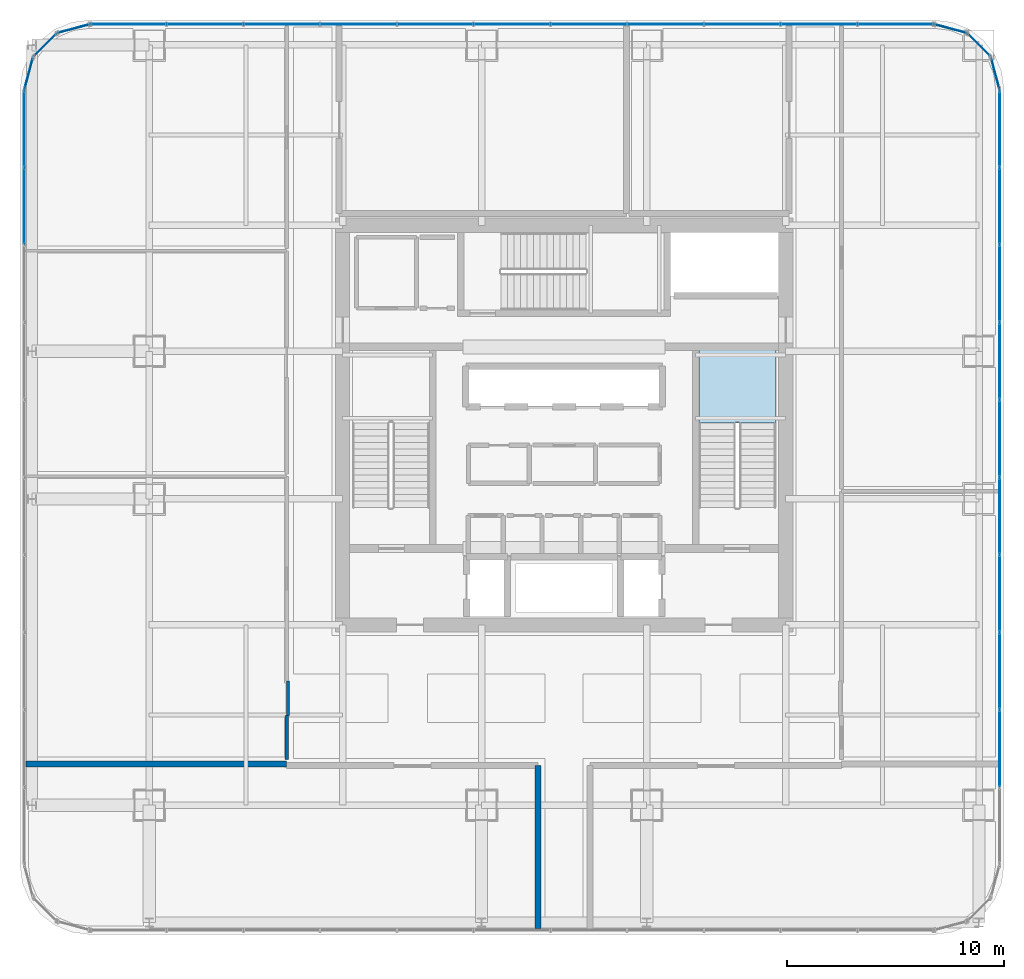
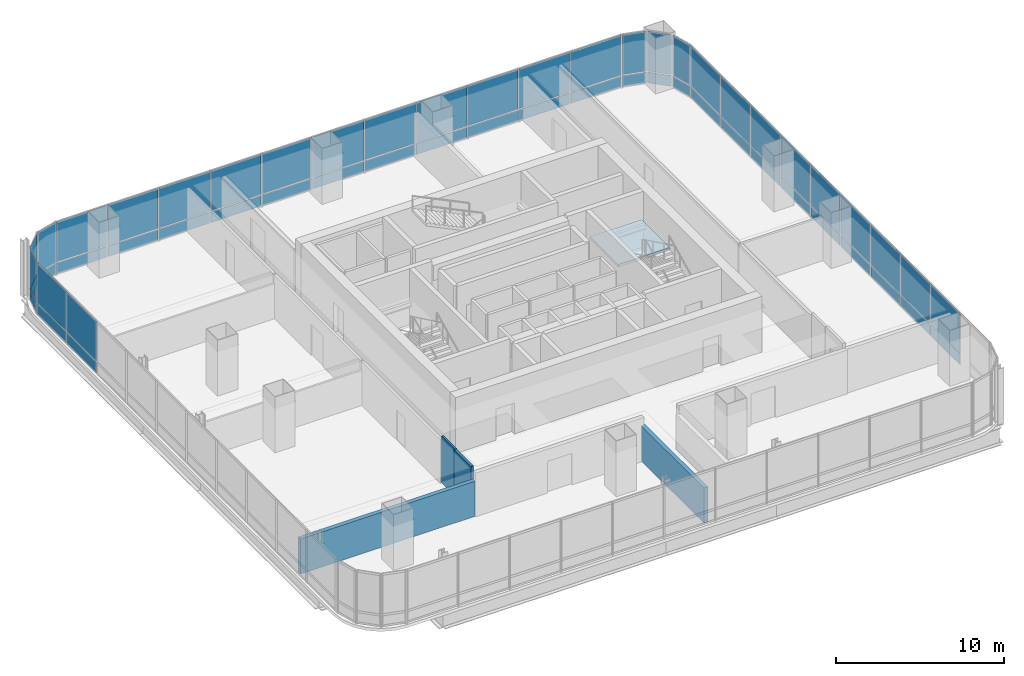
# One storey, part 28 of 36: 56 plates, 4 walls, 1 slab, 10 elements without a shape of their own.
"""IFC4 building model written with IfcOpenShell, lengths in metres."""

from ifc_helpers import new_model, si_unit, direction, frame, frame_2d, origin, origin_2d, place, context, subcontext, project, spatial, polyline, rectangle, outline, extrude, material, layer, layer_set, type_object, element, aggregate, save


model = new_model("IFC4")

# Units and contexts
model_context = context("Model", 3, precision=1e-05, world=origin(), true_north=direction((0.0, 1.0)))
body_context = subcontext(model_context, "Body", "Model", "MODEL_VIEW")
ifc_project = project(units=[si_unit("LENGTHUNIT", "METRE"), si_unit("AREAUNIT", "SQUARE_METRE"), si_unit("VOLUMEUNIT", "CUBIC_METRE"), si_unit("PLANEANGLEUNIT", "RADIAN"), si_unit("MASSUNIT", "GRAM", prefix="KILO")], contexts=[model_context])

# Site, building, storey
site_placement = place(None, origin())
site = spatial("IfcSite", under=ifc_project, at=site_placement, CompositionType="ELEMENT")
building_placement = place(site_placement, origin())
building = spatial("IfcBuilding", under=site, at=building_placement, Name="Punatoya Terracotta Tower", CompositionType="ELEMENT")
storey_placement = place(building_placement, frame((0.0, 0.0, 196.5)))
storey = spatial("IfcBuildingStorey", under=building, at=storey_placement, Name="L46", CompositionType="ELEMENT", Elevation=196.5)

# Curtain wall, plates
ifc_material_1 = material(Name="Aluminium 6063-T6 + Double Low-E Glass", Category="aluminium")
curtain_wall_type = type_object("IfcCurtainWallType", Name="CW-M2", PredefinedType="NOTDEFINED", material=ifc_material_1)
curtain_wall_1_placement = place(storey_placement, origin())
curtain_wall_1 = element("IfcCurtainWall", 1, at=curtain_wall_1_placement, inside=storey, type_object=curtain_wall_type, Name="L46 Curtain Wall CW-L46-E05-1", PredefinedType="NOTDEFINED")
ifc_material_2 = material(Name="Double Low-E Acoustic Vision Glass", Category="glass")
ifc_layer_1 = layer(ifc_material_2, 0.031982421875)
ifc_layer_set_1 = layer_set([ifc_layer_1], Name="Double Low-E Acoustic Vision Glass")
plate_type_1 = type_object("IfcPlateType", Name="PLT-GLZ-32", PredefinedType="CURTAIN_PANEL", material=ifc_layer_set_1)
plate_1_placement = place(storey_placement, frame((20.050048828125, -14.8857421875, 0.89013671875), z_axis=(0.0, 0.0, 1.0), x_axis=(0.0, 1.0, 0.0)))
plate_1 = element("IfcPlate", 2, at=plate_1_placement, type_object=plate_type_1, Name="CW-L46-E05-1 Vision Glass Panel 2", PredefinedType="CURTAIN_PANEL", context=body_context, shape_type="SweptSolid", body=[
    extrude(rectangle(XDim=3.482421875, YDim=0.031982421875, at=origin_2d()), origin(), (0.0, 0.0, 1.0), 2.89990234375),
])
plate_2_placement = place(storey_placement, frame((20.050048828125, -11.318359375, 0.89013671875), z_axis=(0.0, 0.0, 1.0), x_axis=(0.0, 1.0, 0.0)))
plate_2 = element("IfcPlate", 3, at=plate_2_placement, type_object=plate_type_1, Name="CW-L46-E05-1 Vision Glass Panel 3", PredefinedType="CURTAIN_PANEL", context=body_context, shape_type="SweptSolid", body=[
    extrude(rectangle(XDim=3.482421875, YDim=0.031982421875, at=origin_2d()), origin(), (0.0, 0.0, 1.0), 2.89990234375),
])
plate_3_placement = place(storey_placement, frame((20.050048828125, -7.751220703125, 0.89013671875), z_axis=(0.0, 0.0, 1.0), x_axis=(0.0, 1.0, 0.0)))
plate_3 = element("IfcPlate", 4, at=plate_3_placement, type_object=plate_type_1, Name="CW-L46-E05-1 Vision Glass Panel 4", PredefinedType="CURTAIN_PANEL", context=body_context, shape_type="SweptSolid", body=[
    extrude(rectangle(XDim=3.482421875, YDim=0.031982421875, at=origin_2d()), origin(), (0.0, 0.0, 1.0), 2.89990234375),
])
plate_4_placement = place(storey_placement, frame((20.050048828125, -4.18359375, 0.89013671875), z_axis=(0.0, 0.0, 1.0), x_axis=(0.0, 1.0, 0.0)))
plate_4 = element("IfcPlate", 5, at=plate_4_placement, type_object=plate_type_1, Name="CW-L46-E05-1 Vision Glass Panel 5", PredefinedType="CURTAIN_PANEL", context=body_context, shape_type="SweptSolid", body=[
    extrude(rectangle(XDim=3.482421875, YDim=0.031982421875, at=origin_2d()), origin(), (0.0, 0.0, 1.0), 2.89990234375),
])
plate_5_placement = place(storey_placement, frame((20.050048828125, -0.6162109375, 0.89013671875), z_axis=(0.0, 0.0, 1.0), x_axis=(0.0, 1.0, 0.0)))
plate_5 = element("IfcPlate", 6, at=plate_5_placement, type_object=plate_type_1, Name="CW-L46-E05-1 Vision Glass Panel 6", PredefinedType="CURTAIN_PANEL", context=body_context, shape_type="SweptSolid", body=[
    extrude(rectangle(XDim=3.482421875, YDim=0.031982421875, at=origin_2d()), origin(), (0.0, 0.0, 1.0), 2.89990234375),
])
plate_6_placement = place(storey_placement, frame((20.050048828125, 2.951171875, 0.89013671875), z_axis=(0.0, 0.0, 1.0), x_axis=(0.0, 1.0, 0.0)))
plate_6 = element("IfcPlate", 7, at=plate_6_placement, type_object=plate_type_1, Name="CW-L46-E05-1 Vision Glass Panel 7", PredefinedType="CURTAIN_PANEL", context=body_context, shape_type="SweptSolid", body=[
    extrude(rectangle(XDim=3.482421875, YDim=0.031982421875, at=origin_2d()), origin(), (0.0, 0.0, 1.0), 2.89990234375),
])
plate_7_placement = place(storey_placement, frame((20.050048828125, 6.518310546875, 0.89013671875), z_axis=(0.0, 0.0, 1.0), x_axis=(0.0, 1.0, 0.0)))
plate_7 = element("IfcPlate", 8, at=plate_7_placement, type_object=plate_type_1, Name="CW-L46-E05-1 Vision Glass Panel 8", PredefinedType="CURTAIN_PANEL", context=body_context, shape_type="SweptSolid", body=[
    extrude(rectangle(XDim=3.482421875, YDim=0.031982421875, at=origin_2d()), origin(), (0.0, 0.0, 1.0), 2.89990234375),
])
plate_8_placement = place(storey_placement, frame((20.050048828125, 10.085693359375, 0.89013671875), z_axis=(0.0, 0.0, 1.0), x_axis=(0.0, 1.0, 0.0)))
plate_8 = element("IfcPlate", 9, at=plate_8_placement, type_object=plate_type_1, Name="CW-L46-E05-1 Vision Glass Panel 9", PredefinedType="CURTAIN_PANEL", context=body_context, shape_type="SweptSolid", body=[
    extrude(rectangle(XDim=3.482421875, YDim=0.031982421875, at=origin_2d()), origin(), (0.0, 0.0, 1.0), 2.89990234375),
])
plate_9_placement = place(storey_placement, frame((20.050048828125, 13.6533203125, 0.89013671875), z_axis=(0.0, 0.0, 1.0), x_axis=(0.0, 1.0, 0.0)))
plate_9 = element("IfcPlate", 10, at=plate_9_placement, type_object=plate_type_1, Name="CW-L46-E05-1 Vision Glass Panel 10", PredefinedType="CURTAIN_PANEL", context=body_context, shape_type="SweptSolid", body=[
    extrude(rectangle(XDim=3.482421875, YDim=0.031982421875, at=origin_2d()), origin(), (0.0, 0.0, 1.0), 2.89990234375),
])

# Curtain wall, plate
curtain_wall_2_placement = place(storey_placement, origin())
curtain_wall_2 = element("IfcCurtainWall", 11, at=curtain_wall_2_placement, inside=storey, type_object=curtain_wall_type, Name="L46 Curtain Wall CW-L46-CRN06", PredefinedType="NOTDEFINED")
plate_10_placement = place(storey_placement, frame((19.848388671875, 16.193115234375, 0.89013671875), z_axis=(0.0, 0.0, 1.0), x_axis=(-0.257741620719, 0.966213877436, 0.0)))
plate_10 = element("IfcPlate", 12, at=plate_10_placement, type_object=plate_type_1, Name="CW-L46-CRN06 Vision Glass Panel 1", PredefinedType="CURTAIN_PANEL", context=body_context, shape_type="SweptSolid", body=[
    extrude(rectangle(XDim=1.47998046875, YDim=0.031982421875, at=origin_2d()), origin(), (0.0, 0.0, 1.0), 2.89990234375),
])

curtain_wall_3_placement = place(storey_placement, origin())
curtain_wall_3 = element("IfcCurtainWall", 13, at=curtain_wall_3_placement, inside=storey, type_object=curtain_wall_type, Name="L46 Curtain Wall CW-L46-CRN07", PredefinedType="NOTDEFINED")
plate_11_placement = place(storey_placement, frame((19.097900390625, 17.497802734375, 0.89013671875), z_axis=(0.0, 0.0, 1.0), x_axis=(-0.707106781187, 0.707106781187, 0.0)))
plate_11 = element("IfcPlate", 14, at=plate_11_placement, type_object=plate_type_1, Name="CW-L46-CRN07 Vision Glass Panel 1", PredefinedType="CURTAIN_PANEL", context=body_context, shape_type="SweptSolid", body=[
    extrude(rectangle(XDim=1.467041015625, YDim=0.031982421875, at=origin_2d()), origin(), (0.0, 0.0, 1.0), 2.89990234375),
])

curtain_wall_4_placement = place(storey_placement, origin())
curtain_wall_4 = element("IfcCurtainWall", 15, at=curtain_wall_4_placement, inside=storey, type_object=curtain_wall_type, Name="L46 Curtain Wall CW-L46-CRN08", PredefinedType="NOTDEFINED")
plate_12_placement = place(storey_placement, frame((17.79296875, 18.248291015625, 0.89013671875), z_axis=(0.0, 0.0, 1.0), x_axis=(-0.966213877436, 0.257741620719, 0.0)))
plate_12 = element("IfcPlate", 16, at=plate_12_placement, type_object=plate_type_1, Name="CW-L46-CRN08 Vision Glass Panel 1", PredefinedType="CURTAIN_PANEL", context=body_context, shape_type="SweptSolid", body=[
    extrude(rectangle(XDim=1.47998046875, YDim=0.031982421875, at=origin_2d()), origin(), (0.0, 0.0, 1.0), 2.89990234375),
])

# Curtain wall, plates
curtain_wall_5_placement = place(storey_placement, origin())
curtain_wall_5 = element("IfcCurtainWall", 17, at=curtain_wall_5_placement, inside=storey, type_object=curtain_wall_type, Name="L46 Curtain Wall CW-L46-N09-1", PredefinedType="NOTDEFINED")
plate_13_placement = place(storey_placement, frame((15.27001953125, 18.449951171875, 0.89013671875), z_axis=(0.0, 0.0, 1.0), x_axis=(-1.0, 0.0, 0.0)))
plate_13 = element("IfcPlate", 18, at=plate_13_placement, type_object=plate_type_1, Name="CW-L46-N09-1 Vision Glass Panel 1", PredefinedType="CURTAIN_PANEL", context=body_context, shape_type="SweptSolid", body=[
    extrude(rectangle(XDim=3.448974609375, YDim=0.031982421875, at=origin_2d()), origin(), (0.0, 0.0, 1.0), 2.89990234375),
])
plate_14_placement = place(storey_placement, frame((11.73583984375, 18.449951171875, 0.89013671875), z_axis=(0.0, 0.0, 1.0), x_axis=(-1.0, 0.0, 0.0)))
plate_14 = element("IfcPlate", 19, at=plate_14_placement, type_object=plate_type_1, Name="CW-L46-N09-1 Vision Glass Panel 2", PredefinedType="CURTAIN_PANEL", context=body_context, shape_type="SweptSolid", body=[
    extrude(rectangle(XDim=3.448974609375, YDim=0.031982421875, at=origin_2d()), origin(), (0.0, 0.0, 1.0), 2.89990234375),
])
plate_15_placement = place(storey_placement, frame((8.201904296875, 18.449951171875, 0.89013671875), z_axis=(0.0, 0.0, 1.0), x_axis=(-1.0, 0.0, 0.0)))
plate_15 = element("IfcPlate", 20, at=plate_15_placement, type_object=plate_type_1, Name="CW-L46-N09-1 Vision Glass Panel 3", PredefinedType="CURTAIN_PANEL", context=body_context, shape_type="SweptSolid", body=[
    extrude(rectangle(XDim=3.448974609375, YDim=0.031982421875, at=origin_2d()), origin(), (0.0, 0.0, 1.0), 2.89990234375),
])
plate_16_placement = place(storey_placement, frame((4.66796875, 18.449951171875, 0.89013671875), z_axis=(0.0, 0.0, 1.0), x_axis=(-1.0, 0.0, 0.0)))
plate_16 = element("IfcPlate", 21, at=plate_16_placement, type_object=plate_type_1, Name="CW-L46-N09-1 Vision Glass Panel 4", PredefinedType="CURTAIN_PANEL", context=body_context, shape_type="SweptSolid", body=[
    extrude(rectangle(XDim=3.448974609375, YDim=0.031982421875, at=origin_2d()), origin(), (0.0, 0.0, 1.0), 2.89990234375),
])
plate_17_placement = place(storey_placement, frame((1.134033203125, 18.449951171875, 0.89013671875), z_axis=(0.0, 0.0, 1.0), x_axis=(-1.0, 0.0, 0.0)))
plate_17 = element("IfcPlate", 22, at=plate_17_placement, type_object=plate_type_1, Name="CW-L46-N09-1 Vision Glass Panel 5", PredefinedType="CURTAIN_PANEL", context=body_context, shape_type="SweptSolid", body=[
    extrude(rectangle(XDim=3.448974609375, YDim=0.031982421875, at=origin_2d()), origin(), (0.0, 0.0, 1.0), 2.89990234375),
])
plate_18_placement = place(storey_placement, frame((-2.39990234375, 18.449951171875, 0.89013671875), z_axis=(0.0, 0.0, 1.0), x_axis=(-1.0, 0.0, 0.0)))
plate_18 = element("IfcPlate", 23, at=plate_18_placement, type_object=plate_type_1, Name="CW-L46-N09-1 Vision Glass Panel 6", PredefinedType="CURTAIN_PANEL", context=body_context, shape_type="SweptSolid", body=[
    extrude(rectangle(XDim=3.448974609375, YDim=0.031982421875, at=origin_2d()), origin(), (0.0, 0.0, 1.0), 2.89990234375),
])
plate_19_placement = place(storey_placement, frame((-5.93408203125, 18.449951171875, 0.89013671875), z_axis=(0.0, 0.0, 1.0), x_axis=(-1.0, 0.0, 0.0)))
plate_19 = element("IfcPlate", 24, at=plate_19_placement, type_object=plate_type_1, Name="CW-L46-N09-1 Vision Glass Panel 7", PredefinedType="CURTAIN_PANEL", context=body_context, shape_type="SweptSolid", body=[
    extrude(rectangle(XDim=3.448974609375, YDim=0.031982421875, at=origin_2d()), origin(), (0.0, 0.0, 1.0), 2.89990234375),
])
plate_20_placement = place(storey_placement, frame((-9.468017578125, 18.449951171875, 0.89013671875), z_axis=(0.0, 0.0, 1.0), x_axis=(-1.0, 0.0, 0.0)))
plate_20 = element("IfcPlate", 25, at=plate_20_placement, type_object=plate_type_1, Name="CW-L46-N09-1 Vision Glass Panel 8", PredefinedType="CURTAIN_PANEL", context=body_context, shape_type="SweptSolid", body=[
    extrude(rectangle(XDim=3.448974609375, YDim=0.031982421875, at=origin_2d()), origin(), (0.0, 0.0, 1.0), 2.89990234375),
])
plate_21_placement = place(storey_placement, frame((-13.001953125, 18.449951171875, 0.89013671875), z_axis=(0.0, 0.0, 1.0), x_axis=(-1.0, 0.0, 0.0)))
plate_21 = element("IfcPlate", 26, at=plate_21_placement, type_object=plate_type_1, Name="CW-L46-N09-1 Vision Glass Panel 9", PredefinedType="CURTAIN_PANEL", context=body_context, shape_type="SweptSolid", body=[
    extrude(rectangle(XDim=3.448974609375, YDim=0.031982421875, at=origin_2d()), origin(), (0.0, 0.0, 1.0), 2.89990234375),
])
plate_22_placement = place(storey_placement, frame((-16.535888671875, 18.449951171875, 0.89013671875), z_axis=(0.0, 0.0, 1.0), x_axis=(-1.0, 0.0, 0.0)))
plate_22 = element("IfcPlate", 27, at=plate_22_placement, type_object=plate_type_1, Name="CW-L46-N09-1 Vision Glass Panel 10", PredefinedType="CURTAIN_PANEL", context=body_context, shape_type="SweptSolid", body=[
    extrude(rectangle(XDim=3.448974609375, YDim=0.031982421875, at=origin_2d()), origin(), (0.0, 0.0, 1.0), 2.89990234375),
])
plate_23_placement = place(storey_placement, frame((-20.06982421875, 18.449951171875, 0.89013671875), z_axis=(0.0, 0.0, 1.0), x_axis=(-1.0, 0.0, 0.0)))
plate_23 = element("IfcPlate", 28, at=plate_23_placement, type_object=plate_type_1, Name="CW-L46-N09-1 Vision Glass Panel 11", PredefinedType="CURTAIN_PANEL", context=body_context, shape_type="SweptSolid", body=[
    extrude(rectangle(XDim=3.448974609375, YDim=0.031982421875, at=origin_2d()), origin(), (0.0, 0.0, 1.0), 2.89990234375),
])

# Curtain wall, plate
curtain_wall_6_placement = place(storey_placement, origin())
curtain_wall_6 = element("IfcCurtainWall", 29, at=curtain_wall_6_placement, inside=storey, type_object=curtain_wall_type, Name="L46 Curtain Wall CW-L46-CRN10", PredefinedType="NOTDEFINED")
plate_24_placement = place(storey_placement, frame((-22.593017578125, 18.248291015625, 0.89013671875), z_axis=(0.0, 0.0, 1.0), x_axis=(-0.966213877436, -0.257741620719, 0.0)))
plate_24 = element("IfcPlate", 30, at=plate_24_placement, type_object=plate_type_1, Name="CW-L46-CRN10 Vision Glass Panel 1", PredefinedType="CURTAIN_PANEL", context=body_context, shape_type="SweptSolid", body=[
    extrude(rectangle(XDim=1.47998046875, YDim=0.031982421875, at=origin_2d()), origin(), (0.0, 0.0, 1.0), 2.89990234375),
])

curtain_wall_7_placement = place(storey_placement, origin())
curtain_wall_7 = element("IfcCurtainWall", 31, at=curtain_wall_7_placement, inside=storey, type_object=curtain_wall_type, Name="L46 Curtain Wall CW-L46-CRN11", PredefinedType="NOTDEFINED")
plate_25_placement = place(storey_placement, frame((-23.89794921875, 17.497802734375, 0.89013671875), z_axis=(0.0, 0.0, 1.0), x_axis=(-0.707106781187, -0.707106781187, 0.0)))
plate_25 = element("IfcPlate", 32, at=plate_25_placement, type_object=plate_type_1, Name="CW-L46-CRN11 Vision Glass Panel 1", PredefinedType="CURTAIN_PANEL", context=body_context, shape_type="SweptSolid", body=[
    extrude(rectangle(XDim=1.467041015625, YDim=0.031982421875, at=origin_2d()), origin(), (0.0, 0.0, 1.0), 2.89990234375),
])

curtain_wall_8_placement = place(storey_placement, origin())
curtain_wall_8 = element("IfcCurtainWall", 33, at=curtain_wall_8_placement, inside=storey, type_object=curtain_wall_type, Name="L46 Curtain Wall CW-L46-CRN12", PredefinedType="NOTDEFINED")
plate_26_placement = place(storey_placement, frame((-24.648193359375, 16.193115234375, 0.89013671875), z_axis=(0.0, 0.0, 1.0), x_axis=(-0.257741620719, -0.966213877436, 0.0)))
plate_26 = element("IfcPlate", 34, at=plate_26_placement, type_object=plate_type_1, Name="CW-L46-CRN12 Vision Glass Panel 1", PredefinedType="CURTAIN_PANEL", context=body_context, shape_type="SweptSolid", body=[
    extrude(rectangle(XDim=1.47998046875, YDim=0.031982421875, at=origin_2d()), origin(), (0.0, 0.0, 1.0), 2.89990234375),
])

# Curtain wall, plates
curtain_wall_9_placement = place(storey_placement, origin())
curtain_wall_9 = element("IfcCurtainWall", 35, at=curtain_wall_9_placement, inside=storey, type_object=curtain_wall_type, Name="L46 Curtain Wall CW-L46-W13-1", PredefinedType="NOTDEFINED")
plate_27_placement = place(storey_placement, frame((-24.85009765625, 13.6533203125, 0.89013671875), z_axis=(0.0, 0.0, 1.0), x_axis=(0.0, -1.0, 0.0)))
plate_27 = element("IfcPlate", 36, at=plate_27_placement, type_object=plate_type_1, Name="CW-L46-W13-1 Vision Glass Panel 1", PredefinedType="CURTAIN_PANEL", context=body_context, shape_type="SweptSolid", body=[
    extrude(rectangle(XDim=3.482421875, YDim=0.031982421875, at=origin_2d()), origin(), (0.0, 0.0, 1.0), 2.89990234375),
])
plate_28_placement = place(storey_placement, frame((-24.85009765625, 10.085693359375, 0.89013671875), z_axis=(0.0, 0.0, 1.0), x_axis=(0.0, -1.0, 0.0)))
plate_28 = element("IfcPlate", 37, at=plate_28_placement, type_object=plate_type_1, Name="CW-L46-W13-1 Vision Glass Panel 2", PredefinedType="CURTAIN_PANEL", context=body_context, shape_type="SweptSolid", body=[
    extrude(rectangle(XDim=3.482421875, YDim=0.031982421875, at=origin_2d()), origin(), (0.0, 0.0, 1.0), 2.89990234375),
])

# Plate
ifc_material_3 = material(Name="Insulated Terracotta-Backed Spandrel Panel", Category="masonry")
ifc_layer_2 = layer(ifc_material_3, 0.044921875)
ifc_layer_set_2 = layer_set([ifc_layer_2], Name="Insulated Terracotta-Backed Spandrel Panel")
plate_type_2 = type_object("IfcPlateType", Name="PLT-SPN-45", PredefinedType="CURTAIN_PANEL", material=ifc_layer_set_2)
plate_29_placement = place(storey_placement, frame((20.050048828125, -14.8857421875, 0.0400390625), z_axis=(0.0, 0.0, 1.0), x_axis=(0.0, 1.0, 0.0)))
plate_29 = element("IfcPlate", 38, at=plate_29_placement, type_object=plate_type_2, Name="CW-L46-E05-1 Terracotta Spandrel Panel 2", PredefinedType="CURTAIN_PANEL", context=body_context, shape_type="SweptSolid", body=[
    extrude(rectangle(XDim=3.482421875, YDim=0.044921875, at=origin_2d()), origin(), (0.0, 0.0, 1.0), 0.77490234375),
])

plate_30_placement = place(storey_placement, frame((20.050048828125, -11.318359375, 0.0400390625), z_axis=(0.0, 0.0, 1.0), x_axis=(0.0, 1.0, 0.0)))
plate_30 = element("IfcPlate", 39, at=plate_30_placement, type_object=plate_type_2, Name="CW-L46-E05-1 Terracotta Spandrel Panel 3", PredefinedType="CURTAIN_PANEL", context=body_context, shape_type="SweptSolid", body=[
    extrude(rectangle(XDim=3.482421875, YDim=0.044921875, at=origin_2d()), origin(), (0.0, 0.0, 1.0), 0.77490234375),
])

plate_31_placement = place(storey_placement, frame((20.050048828125, -7.751220703125, 0.0400390625), z_axis=(0.0, 0.0, 1.0), x_axis=(0.0, 1.0, 0.0)))
plate_31 = element("IfcPlate", 40, at=plate_31_placement, type_object=plate_type_2, Name="CW-L46-E05-1 Terracotta Spandrel Panel 4", PredefinedType="CURTAIN_PANEL", context=body_context, shape_type="SweptSolid", body=[
    extrude(rectangle(XDim=3.482421875, YDim=0.044921875, at=origin_2d()), origin(), (0.0, 0.0, 1.0), 0.77490234375),
])

plate_32_placement = place(storey_placement, frame((20.050048828125, -4.18359375, 0.0400390625), z_axis=(0.0, 0.0, 1.0), x_axis=(0.0, 1.0, 0.0)))
plate_32 = element("IfcPlate", 41, at=plate_32_placement, type_object=plate_type_2, Name="CW-L46-E05-1 Terracotta Spandrel Panel 5", PredefinedType="CURTAIN_PANEL", context=body_context, shape_type="SweptSolid", body=[
    extrude(rectangle(XDim=3.482421875, YDim=0.044921875, at=origin_2d()), origin(), (0.0, 0.0, 1.0), 0.77490234375),
])

plate_33_placement = place(storey_placement, frame((20.050048828125, -0.6162109375, 0.0400390625), z_axis=(0.0, 0.0, 1.0), x_axis=(0.0, 1.0, 0.0)))
plate_33 = element("IfcPlate", 42, at=plate_33_placement, type_object=plate_type_2, Name="CW-L46-E05-1 Terracotta Spandrel Panel 6", PredefinedType="CURTAIN_PANEL", context=body_context, shape_type="SweptSolid", body=[
    extrude(rectangle(XDim=3.482421875, YDim=0.044921875, at=origin_2d()), origin(), (0.0, 0.0, 1.0), 0.77490234375),
])

plate_34_placement = place(storey_placement, frame((20.050048828125, 2.951171875, 0.0400390625), z_axis=(0.0, 0.0, 1.0), x_axis=(0.0, 1.0, 0.0)))
plate_34 = element("IfcPlate", 43, at=plate_34_placement, type_object=plate_type_2, Name="CW-L46-E05-1 Terracotta Spandrel Panel 7", PredefinedType="CURTAIN_PANEL", context=body_context, shape_type="SweptSolid", body=[
    extrude(rectangle(XDim=3.482421875, YDim=0.044921875, at=origin_2d()), origin(), (0.0, 0.0, 1.0), 0.77490234375),
])

plate_35_placement = place(storey_placement, frame((20.050048828125, 6.518310546875, 0.0400390625), z_axis=(0.0, 0.0, 1.0), x_axis=(0.0, 1.0, 0.0)))
plate_35 = element("IfcPlate", 44, at=plate_35_placement, type_object=plate_type_2, Name="CW-L46-E05-1 Terracotta Spandrel Panel 8", PredefinedType="CURTAIN_PANEL", context=body_context, shape_type="SweptSolid", body=[
    extrude(rectangle(XDim=3.482421875, YDim=0.044921875, at=origin_2d()), origin(), (0.0, 0.0, 1.0), 0.77490234375),
])

plate_36_placement = place(storey_placement, frame((20.050048828125, 10.085693359375, 0.0400390625), z_axis=(0.0, 0.0, 1.0), x_axis=(0.0, 1.0, 0.0)))
plate_36 = element("IfcPlate", 45, at=plate_36_placement, type_object=plate_type_2, Name="CW-L46-E05-1 Terracotta Spandrel Panel 9", PredefinedType="CURTAIN_PANEL", context=body_context, shape_type="SweptSolid", body=[
    extrude(rectangle(XDim=3.482421875, YDim=0.044921875, at=origin_2d()), origin(), (0.0, 0.0, 1.0), 0.77490234375),
])

plate_37_placement = place(storey_placement, frame((20.050048828125, 13.6533203125, 0.0400390625), z_axis=(0.0, 0.0, 1.0), x_axis=(0.0, 1.0, 0.0)))
plate_37 = element("IfcPlate", 46, at=plate_37_placement, type_object=plate_type_2, Name="CW-L46-E05-1 Terracotta Spandrel Panel 10", PredefinedType="CURTAIN_PANEL", context=body_context, shape_type="SweptSolid", body=[
    extrude(rectangle(XDim=3.482421875, YDim=0.044921875, at=origin_2d()), origin(), (0.0, 0.0, 1.0), 0.77490234375),
])

aggregate(curtain_wall_1, [plate_29, plate_1, plate_30, plate_2, plate_31, plate_3, plate_32, plate_4, plate_33, plate_5, plate_34, plate_6, plate_35, plate_7, plate_36, plate_8, plate_37, plate_9])

plate_38_placement = place(storey_placement, frame((19.848388671875, 16.193115234375, 0.0400390625), z_axis=(0.0, 0.0, 1.0), x_axis=(-0.257741620719, 0.966213877436, 0.0)))
plate_38 = element("IfcPlate", 47, at=plate_38_placement, type_object=plate_type_2, Name="CW-L46-CRN06 Terracotta Spandrel Panel 1", PredefinedType="CURTAIN_PANEL", context=body_context, shape_type="SweptSolid", body=[
    extrude(rectangle(XDim=1.47998046875, YDim=0.044921875, at=origin_2d()), origin(), (0.0, 0.0, 1.0), 0.77490234375),
])

aggregate(curtain_wall_2, [plate_38, plate_10])

plate_39_placement = place(storey_placement, frame((19.097900390625, 17.497802734375, 0.0400390625), z_axis=(0.0, 0.0, 1.0), x_axis=(-0.707106781187, 0.707106781187, 0.0)))
plate_39 = element("IfcPlate", 48, at=plate_39_placement, type_object=plate_type_2, Name="CW-L46-CRN07 Terracotta Spandrel Panel 1", PredefinedType="CURTAIN_PANEL", context=body_context, shape_type="SweptSolid", body=[
    extrude(rectangle(XDim=1.467041015625, YDim=0.044921875, at=origin_2d()), origin(), (0.0, 0.0, 1.0), 0.77490234375),
])

aggregate(curtain_wall_3, [plate_39, plate_11])

plate_40_placement = place(storey_placement, frame((17.79296875, 18.248291015625, 0.0400390625), z_axis=(0.0, 0.0, 1.0), x_axis=(-0.966213877436, 0.257741620719, 0.0)))
plate_40 = element("IfcPlate", 49, at=plate_40_placement, type_object=plate_type_2, Name="CW-L46-CRN08 Terracotta Spandrel Panel 1", PredefinedType="CURTAIN_PANEL", context=body_context, shape_type="SweptSolid", body=[
    extrude(rectangle(XDim=1.47998046875, YDim=0.044921875, at=origin_2d()), origin(), (0.0, 0.0, 1.0), 0.77490234375),
])

aggregate(curtain_wall_4, [plate_40, plate_12])

plate_41_placement = place(storey_placement, frame((15.27001953125, 18.449951171875, 0.0400390625), z_axis=(0.0, 0.0, 1.0), x_axis=(-1.0, 0.0, 0.0)))
plate_41 = element("IfcPlate", 50, at=plate_41_placement, type_object=plate_type_2, Name="CW-L46-N09-1 Terracotta Spandrel Panel 1", PredefinedType="CURTAIN_PANEL", context=body_context, shape_type="SweptSolid", body=[
    extrude(rectangle(XDim=3.448974609375, YDim=0.044921875, at=origin_2d()), origin(), (0.0, 0.0, 1.0), 0.77490234375),
])

plate_42_placement = place(storey_placement, frame((11.73583984375, 18.449951171875, 0.0400390625), z_axis=(0.0, 0.0, 1.0), x_axis=(-1.0, 0.0, 0.0)))
plate_42 = element("IfcPlate", 51, at=plate_42_placement, type_object=plate_type_2, Name="CW-L46-N09-1 Terracotta Spandrel Panel 2", PredefinedType="CURTAIN_PANEL", context=body_context, shape_type="SweptSolid", body=[
    extrude(rectangle(XDim=3.448974609375, YDim=0.044921875, at=origin_2d()), origin(), (0.0, 0.0, 1.0), 0.77490234375),
])

plate_43_placement = place(storey_placement, frame((8.201904296875, 18.449951171875, 0.0400390625), z_axis=(0.0, 0.0, 1.0), x_axis=(-1.0, 0.0, 0.0)))
plate_43 = element("IfcPlate", 52, at=plate_43_placement, type_object=plate_type_2, Name="CW-L46-N09-1 Terracotta Spandrel Panel 3", PredefinedType="CURTAIN_PANEL", context=body_context, shape_type="SweptSolid", body=[
    extrude(rectangle(XDim=3.448974609375, YDim=0.044921875, at=origin_2d()), origin(), (0.0, 0.0, 1.0), 0.77490234375),
])

plate_44_placement = place(storey_placement, frame((4.66796875, 18.449951171875, 0.0400390625), z_axis=(0.0, 0.0, 1.0), x_axis=(-1.0, 0.0, 0.0)))
plate_44 = element("IfcPlate", 53, at=plate_44_placement, type_object=plate_type_2, Name="CW-L46-N09-1 Terracotta Spandrel Panel 4", PredefinedType="CURTAIN_PANEL", context=body_context, shape_type="SweptSolid", body=[
    extrude(rectangle(XDim=3.448974609375, YDim=0.044921875, at=origin_2d()), origin(), (0.0, 0.0, 1.0), 0.77490234375),
])

plate_45_placement = place(storey_placement, frame((1.134033203125, 18.449951171875, 0.0400390625), z_axis=(0.0, 0.0, 1.0), x_axis=(-1.0, 0.0, 0.0)))
plate_45 = element("IfcPlate", 54, at=plate_45_placement, type_object=plate_type_2, Name="CW-L46-N09-1 Terracotta Spandrel Panel 5", PredefinedType="CURTAIN_PANEL", context=body_context, shape_type="SweptSolid", body=[
    extrude(rectangle(XDim=3.448974609375, YDim=0.044921875, at=origin_2d()), origin(), (0.0, 0.0, 1.0), 0.77490234375),
])

plate_46_placement = place(storey_placement, frame((-2.39990234375, 18.449951171875, 0.0400390625), z_axis=(0.0, 0.0, 1.0), x_axis=(-1.0, 0.0, 0.0)))
plate_46 = element("IfcPlate", 55, at=plate_46_placement, type_object=plate_type_2, Name="CW-L46-N09-1 Terracotta Spandrel Panel 6", PredefinedType="CURTAIN_PANEL", context=body_context, shape_type="SweptSolid", body=[
    extrude(rectangle(XDim=3.448974609375, YDim=0.044921875, at=origin_2d()), origin(), (0.0, 0.0, 1.0), 0.77490234375),
])

plate_47_placement = place(storey_placement, frame((-5.93408203125, 18.449951171875, 0.0400390625), z_axis=(0.0, 0.0, 1.0), x_axis=(-1.0, 0.0, 0.0)))
plate_47 = element("IfcPlate", 56, at=plate_47_placement, type_object=plate_type_2, Name="CW-L46-N09-1 Terracotta Spandrel Panel 7", PredefinedType="CURTAIN_PANEL", context=body_context, shape_type="SweptSolid", body=[
    extrude(rectangle(XDim=3.448974609375, YDim=0.044921875, at=origin_2d()), origin(), (0.0, 0.0, 1.0), 0.77490234375),
])

plate_48_placement = place(storey_placement, frame((-9.468017578125, 18.449951171875, 0.0400390625), z_axis=(0.0, 0.0, 1.0), x_axis=(-1.0, 0.0, 0.0)))
plate_48 = element("IfcPlate", 57, at=plate_48_placement, type_object=plate_type_2, Name="CW-L46-N09-1 Terracotta Spandrel Panel 8", PredefinedType="CURTAIN_PANEL", context=body_context, shape_type="SweptSolid", body=[
    extrude(rectangle(XDim=3.448974609375, YDim=0.044921875, at=origin_2d()), origin(), (0.0, 0.0, 1.0), 0.77490234375),
])

plate_49_placement = place(storey_placement, frame((-13.001953125, 18.449951171875, 0.0400390625), z_axis=(0.0, 0.0, 1.0), x_axis=(-1.0, 0.0, 0.0)))
plate_49 = element("IfcPlate", 58, at=plate_49_placement, type_object=plate_type_2, Name="CW-L46-N09-1 Terracotta Spandrel Panel 9", PredefinedType="CURTAIN_PANEL", context=body_context, shape_type="SweptSolid", body=[
    extrude(rectangle(XDim=3.448974609375, YDim=0.044921875, at=origin_2d()), origin(), (0.0, 0.0, 1.0), 0.77490234375),
])

plate_50_placement = place(storey_placement, frame((-16.535888671875, 18.449951171875, 0.0400390625), z_axis=(0.0, 0.0, 1.0), x_axis=(-1.0, 0.0, 0.0)))
plate_50 = element("IfcPlate", 59, at=plate_50_placement, type_object=plate_type_2, Name="CW-L46-N09-1 Terracotta Spandrel Panel 10", PredefinedType="CURTAIN_PANEL", context=body_context, shape_type="SweptSolid", body=[
    extrude(rectangle(XDim=3.448974609375, YDim=0.044921875, at=origin_2d()), origin(), (0.0, 0.0, 1.0), 0.77490234375),
])

plate_51_placement = place(storey_placement, frame((-20.06982421875, 18.449951171875, 0.0400390625), z_axis=(0.0, 0.0, 1.0), x_axis=(-1.0, 0.0, 0.0)))
plate_51 = element("IfcPlate", 60, at=plate_51_placement, type_object=plate_type_2, Name="CW-L46-N09-1 Terracotta Spandrel Panel 11", PredefinedType="CURTAIN_PANEL", context=body_context, shape_type="SweptSolid", body=[
    extrude(rectangle(XDim=3.448974609375, YDim=0.044921875, at=origin_2d()), origin(), (0.0, 0.0, 1.0), 0.77490234375),
])

aggregate(curtain_wall_5, [plate_41, plate_13, plate_42, plate_14, plate_43, plate_15, plate_44, plate_16, plate_45, plate_17, plate_46, plate_18, plate_47, plate_19, plate_48, plate_20, plate_49, plate_21, plate_50, plate_22, plate_51, plate_23])

plate_52_placement = place(storey_placement, frame((-22.593017578125, 18.248291015625, 0.0400390625), z_axis=(0.0, 0.0, 1.0), x_axis=(-0.966213877436, -0.257741620719, 0.0)))
plate_52 = element("IfcPlate", 61, at=plate_52_placement, type_object=plate_type_2, Name="CW-L46-CRN10 Terracotta Spandrel Panel 1", PredefinedType="CURTAIN_PANEL", context=body_context, shape_type="SweptSolid", body=[
    extrude(rectangle(XDim=1.47998046875, YDim=0.044921875, at=origin_2d()), origin(), (0.0, 0.0, 1.0), 0.77490234375),
])

aggregate(curtain_wall_6, [plate_52, plate_24])

plate_53_placement = place(storey_placement, frame((-23.89794921875, 17.497802734375, 0.0400390625), z_axis=(0.0, 0.0, 1.0), x_axis=(-0.707106781187, -0.707106781187, 0.0)))
plate_53 = element("IfcPlate", 62, at=plate_53_placement, type_object=plate_type_2, Name="CW-L46-CRN11 Terracotta Spandrel Panel 1", PredefinedType="CURTAIN_PANEL", context=body_context, shape_type="SweptSolid", body=[
    extrude(rectangle(XDim=1.467041015625, YDim=0.044921875, at=origin_2d()), origin(), (0.0, 0.0, 1.0), 0.77490234375),
])

aggregate(curtain_wall_7, [plate_53, plate_25])

plate_54_placement = place(storey_placement, frame((-24.648193359375, 16.193115234375, 0.0400390625), z_axis=(0.0, 0.0, 1.0), x_axis=(-0.257741620719, -0.966213877436, 0.0)))
plate_54 = element("IfcPlate", 63, at=plate_54_placement, type_object=plate_type_2, Name="CW-L46-CRN12 Terracotta Spandrel Panel 1", PredefinedType="CURTAIN_PANEL", context=body_context, shape_type="SweptSolid", body=[
    extrude(rectangle(XDim=1.47998046875, YDim=0.044921875, at=origin_2d()), origin(), (0.0, 0.0, 1.0), 0.77490234375),
])

aggregate(curtain_wall_8, [plate_54, plate_26])

plate_55_placement = place(storey_placement, frame((-24.85009765625, 13.6533203125, 0.0400390625), z_axis=(0.0, 0.0, 1.0), x_axis=(0.0, -1.0, 0.0)))
plate_55 = element("IfcPlate", 64, at=plate_55_placement, type_object=plate_type_2, Name="CW-L46-W13-1 Terracotta Spandrel Panel 1", PredefinedType="CURTAIN_PANEL", context=body_context, shape_type="SweptSolid", body=[
    extrude(rectangle(XDim=3.482421875, YDim=0.044921875, at=origin_2d()), origin(), (0.0, 0.0, 1.0), 0.77490234375),
])

plate_56_placement = place(storey_placement, frame((-24.85009765625, 10.085693359375, 0.0400390625), z_axis=(0.0, 0.0, 1.0), x_axis=(0.0, -1.0, 0.0)))
plate_56 = element("IfcPlate", 65, at=plate_56_placement, type_object=plate_type_2, Name="CW-L46-W13-1 Terracotta Spandrel Panel 2", PredefinedType="CURTAIN_PANEL", context=body_context, shape_type="SweptSolid", body=[
    extrude(rectangle(XDim=3.482421875, YDim=0.044921875, at=origin_2d()), origin(), (0.0, 0.0, 1.0), 0.77490234375),
])

aggregate(curtain_wall_9, [plate_55, plate_27, plate_56, plate_28])

# Stair, slab
ifc_material_4 = material(Name="Concrete C40/50", Category="concrete")
stair_type = type_object("IfcStairType", Name="STR-LOB-1650", PredefinedType="HALF_TURN_STAIR", material=ifc_material_4)
stair_placement = place(storey_placement, origin())
stair = element("IfcStair", 66, at=stair_placement, inside=storey, type_object=stair_type, Name="L46 Protected Core Exit Stair ST-2", PredefinedType="HALF_TURN_STAIR")
ifc_layer_3 = layer(ifc_material_4, 0.179931640625)
ifc_layer_set_3 = layer_set([ifc_layer_3], Name="Concrete C40/50")
slab_type = type_object("IfcSlabType", Name="SLB-LND-180", PredefinedType="LANDING", material=ifc_layer_set_3)
slab_placement = place(storey_placement, frame((0.0, 0.0, 1.824951171875)))
slab = element("IfcSlab", 67, at=slab_placement, type_object=slab_type, Name="ST-2 landing 1", PredefinedType="LANDING", context=body_context, shape_type="SweptSolid", body=[
    extrude(outline(polyline([(9.75, 0.10009765625), (9.75, 3.449951171875), (6.199951171875, 3.449951171875), (6.199951171875, 0.10009765625), (9.75, 0.10009765625)])), origin(), (0.0, 0.0, 1.0), 0.199951171875),
])
aggregate(stair, [slab])

# Walls
ifc_layer_4 = layer(ifc_material_4, 0.280029296875)
ifc_layer_set_4 = layer_set([ifc_layer_4], Name="Concrete C40/50")
wall_type_1 = type_object("IfcWallType", Name="WL-AUD-280", PredefinedType="SOLIDWALL", material=ifc_layer_set_4)
wall_1_placement = place(storey_placement, frame((-24.77001953125, -15.610107421875, 0.0), z_axis=(0.0, 0.0, 1.0), x_axis=(1.0, 0.0, 0.0)))
element("IfcWall", 68, at=wall_1_placement, inside=storey, type_object=wall_type_1, Name="L46 Client Dining Salon Partition 28", PredefinedType="SOLIDWALL", context=body_context, shape_type="SweptSolid", body=[
    extrude(rectangle(XDim=12.0, YDim=0.280029296875, at=frame_2d((6.0, 0.0))), origin(), (0.0, 0.0, 1.0), 2.5439453125),
])
wall_2_placement = place(storey_placement, frame((-1.199951171875, -15.669921875, 0.0), z_axis=(0.0, 0.0, 1.0), x_axis=(0.0, -1.0, 0.0)))
element("IfcWall", 69, at=wall_2_placement, inside=storey, type_object=wall_type_1, Name="L46 Client Dining Salon Partition 30", PredefinedType="SOLIDWALL", context=body_context, shape_type="SweptSolid", body=[
    extrude(rectangle(XDim=7.5, YDim=0.280029296875, at=frame_2d((3.75, 0.0))), origin(), (0.0, 0.0, 1.0), 2.5439453125),
])
ifc_material_5 = material(Name="Gypsum Fireboard + Steel Stud", Category="steel")
ifc_layer_5 = layer(ifc_material_5, 0.179931640625)
ifc_layer_set_5 = layer_set([ifc_layer_5], Name="Gypsum Fireboard + Steel Stud")
wall_type_2 = type_object("IfcWallType", Name="WL-CORR-180", PredefinedType="PARTITIONING", material=ifc_layer_set_5)
wall_3_placement = place(storey_placement, frame((-12.77001953125, -13.3798828125, 0.0), z_axis=(0.0, 0.0, 1.0), x_axis=(0.0, -1.0, 0.0)))
element("IfcWall", 70, at=wall_3_placement, inside=storey, type_object=wall_type_2, Name="L46 Visitor Reception Salon Partition 41", PredefinedType="PARTITIONING", context=body_context, shape_type="SweptSolid", body=[
    extrude(rectangle(XDim=2.010009765625, YDim=0.179931640625, at=frame_2d((1.0048828125, 0.0))), origin(), (0.0, 0.0, 1.0), 3.424072265625),
])
ifc_material_6 = material(Name="Gypsum Partition + Steel Stud", Category="steel")
ifc_layer_6 = layer(ifc_material_6, 0.1201171875)
ifc_layer_set_6 = layer_set([ifc_layer_6], Name="Gypsum Partition + Steel Stud")
wall_type_3 = type_object("IfcWallType", Name="WL-OFF-120", PredefinedType="PARTITIONING", material=ifc_layer_set_6)
wall_4_placement = place(storey_placement, frame((-12.7099609375, -11.77001953125, 0.0), z_axis=(0.0, 0.0, 1.0), x_axis=(0.0, -1.0, 0.0)))
element("IfcWall", 71, at=wall_4_placement, inside=storey, type_object=wall_type_3, Name="L46 Visitor Reception Salon Partition 40", PredefinedType="PARTITIONING", context=body_context, shape_type="SweptSolid", body=[
    extrude(rectangle(XDim=1.60986328125, YDim=0.1201171875, at=frame_2d((0.804931640625, 0.0))), origin(), (0.0, 0.0, 1.0), 3.424072265625),
])

save(model, "model.ifc")
